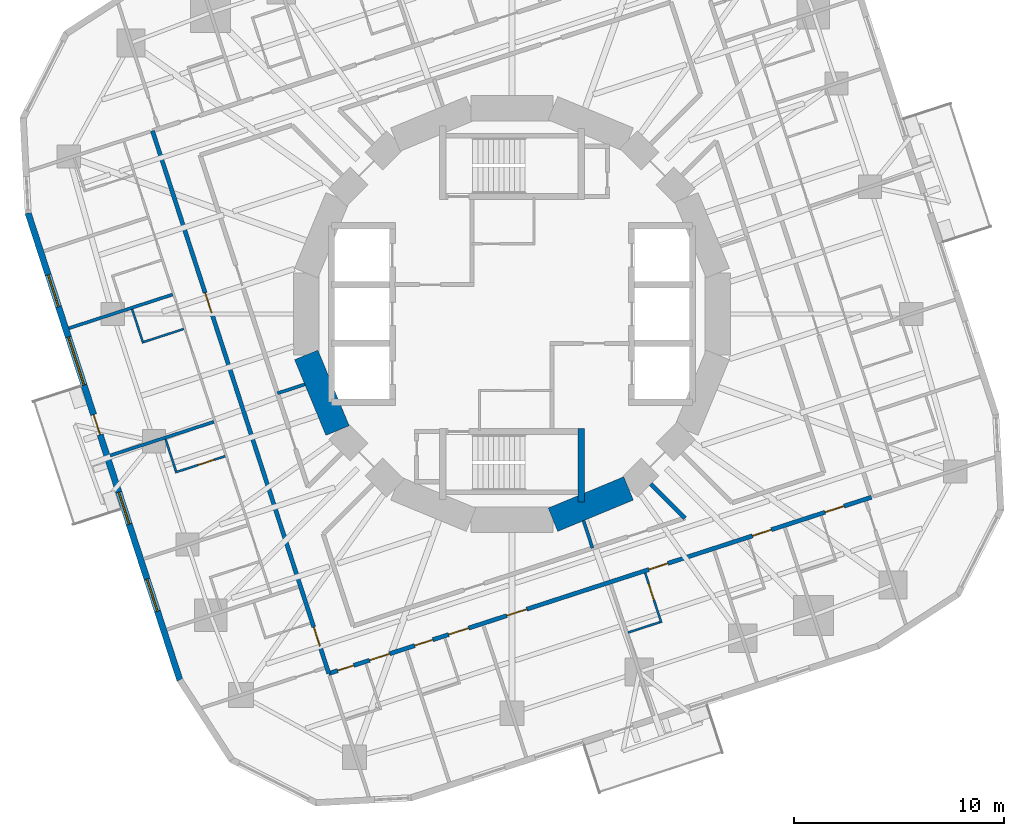
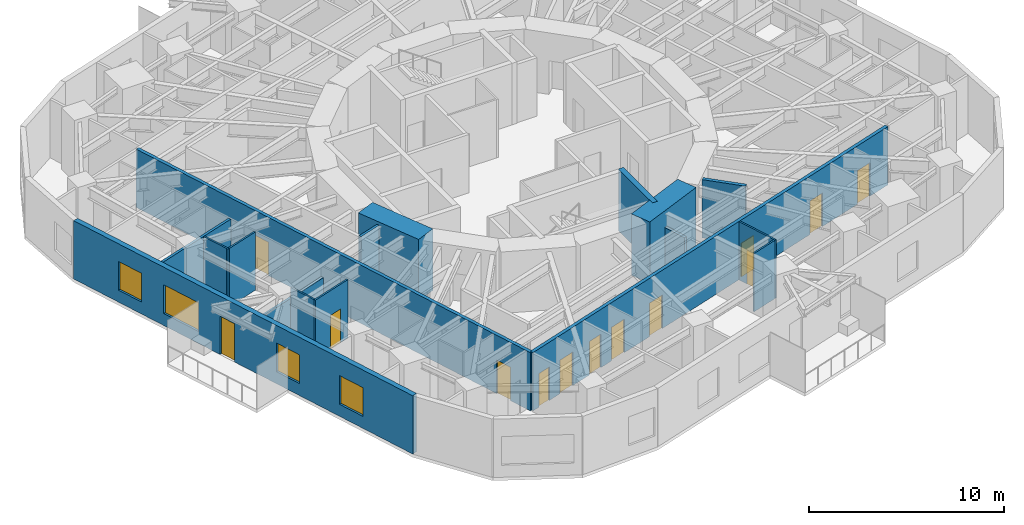
# One storey, part 5 of 12: 17 walls, 13 doors, 4 windows, 17 openings.
"""IFC4 building model written with IfcOpenShell, lengths in metres."""

from ifc_helpers import new_model, si_unit, direction, frame, frame_2d, origin, place, context, subcontext, project, spatial, rectangle, extrude, material, layer, layer_set, type_object, element, fill, save


model = new_model("IFC4")

# Units and contexts
model_context = context("Model", 3, precision=1e-05, world=origin(), true_north=direction((0.0, 1.0)))
body_context = subcontext(model_context, "Body", "Model", "MODEL_VIEW")
ifc_project = project(units=[si_unit("LENGTHUNIT", "METRE"), si_unit("AREAUNIT", "SQUARE_METRE"), si_unit("VOLUMEUNIT", "CUBIC_METRE"), si_unit("PLANEANGLEUNIT", "RADIAN"), si_unit("MASSUNIT", "GRAM", prefix="KILO")], contexts=[model_context])

# Site, building, storey
site_placement = place(None, origin())
site = spatial("IfcSite", under=ifc_project, at=site_placement, CompositionType="ELEMENT")
building_placement = place(site_placement, origin())
building = spatial("IfcBuilding", under=site, at=building_placement, Name="Nakasero Lantern House", CompositionType="ELEMENT")
storey_placement = place(building_placement, frame((0.0, 0.0, 168.75)))
storey = spatial("IfcBuildingStorey", under=building, at=storey_placement, Name="L41", CompositionType="ELEMENT", Elevation=168.75)

# Walls
ifc_material_1 = material(Name="Concrete C50/60", Category="concrete")
ifc_layer_1 = layer(ifc_material_1, 0.300048828125)
ifc_layer_set_1 = layer_set([ifc_layer_1], Name="Core inner wall 300")
wall_type_1 = type_object("IfcWallType", Name="Core inner wall 300", PredefinedType="SHEAR", material=ifc_layer_set_1)
wall_1_placement = place(storey_placement, frame((3.300048828125, -5.449951171875, 0.0), z_axis=(0.0, 0.0, 1.0), x_axis=(0.0, -1.0, 0.0)))
element("IfcWall", 1, at=wall_1_placement, inside=storey, type_object=wall_type_1, Name="Core inner wall L41 SSE", PredefinedType="SHEAR", context=body_context, shape_type="SweptSolid", body=[
    extrude(rectangle(XDim=3.5, YDim=0.300048828125, at=frame_2d((1.75, 0.0))), origin(), (0.0, 0.0, 1.0), 3.85009765625),
])
ifc_material_2 = material(Name="Concrete C50/60", Category="concrete")
ifc_layer_2 = layer(ifc_material_2, 1.199951171875)
ifc_layer_set_2 = layer_set([ifc_layer_2], Name="Core wall 1200")
wall_type_2 = type_object("IfcWallType", Name="Core wall 1200", PredefinedType="SHEAR", material=ifc_layer_set_2)
for number, where, z_axis, x_axis, name in (
    (2, (-9.807861328125, -1.950927734375, 0.0), (0.0, 0.0, 1.0), (0.382690736062, -0.923876507187, 0.0), "Core wall L41 facet 9"),
    (3, (1.950927734375, -9.807861328125, 0.0), (0.0, 0.0, 1.0), (0.923876507187, 0.382690736062, 0.0), "Core wall L41 facet 13"),
):
    element("IfcWall", number, at=place(storey_placement, frame(where, z_axis=z_axis, x_axis=x_axis)), inside=storey, type_object=wall_type_2, Name=name, PredefinedType="SHEAR", context=body_context, shape_type="SweptSolid", body=[
        extrude(rectangle(XDim=3.90185546875, YDim=1.199951171875, at=frame_2d((1.950927734375, 0.0))), origin(), (0.0, 0.0, 1.0), 3.85009765625),
    ])

# Wall, openings, doors
ifc_material_3 = material(Name="Blockwork", Category="masonry")
ifc_layer_3 = layer(ifc_material_3, 0.199951171875)
ifc_layer_set_3 = layer_set([ifc_layer_3], Name="Corridor wall 200")
wall_type_3 = type_object("IfcWallType", Name="Corridor wall 200", PredefinedType="PARTITIONING", material=ifc_layer_set_3)
wall_2_placement = place(storey_placement, frame((-17.136962890625, 8.731689453125, 0.0), z_axis=(0.0, 0.0, 1.0), x_axis=(0.309018283835, -0.951056097323, 0.0)))
wall_2 = element("IfcWall", 4, at=wall_2_placement, inside=storey, type_object=wall_type_3, Name="Corridor wall L41 CW2", PredefinedType="PARTITIONING", context=body_context, shape_type="SweptSolid", body=[
    extrude(rectangle(XDim=27.199951171875, YDim=0.199951171875, at=frame_2d((13.60009765625, 0.0))), origin(), (0.0, 0.0, 1.0), 3.64990234375),
])
opening_1_placement = place(wall_2_placement, frame((8.118896484375, 0.0, 0.0)))
opening_1 = element("IfcOpeningElement", 5, at=opening_1_placement, cuts=wall_2, Name="Opening D14", PredefinedType="OPENING", context=body_context, shape_type="SweptSolid", body=[
    extrude(rectangle(XDim=1.0, YDim=2.10009765625, at=frame_2d((0.5, 1.050048828125))), frame((0.0, 0.119873046875, 0.0), z_axis=(0.0, -1.0, 0.0), x_axis=(1.0, 0.0, 0.0)), (0.0, 0.0, 1.0), 0.239990234375),
])
opening_2_placement = place(wall_2_placement, frame((24.872314453125, 0.0, 0.0)))
opening_2 = element("IfcOpeningElement", 6, at=opening_2_placement, cuts=wall_2, Name="Opening D01", PredefinedType="OPENING", context=body_context, shape_type="SweptSolid", body=[
    extrude(rectangle(XDim=0.949951171875, YDim=2.10009765625, at=frame_2d((0.47509765625, 1.050048828125))), frame((0.0, 0.119873046875, 0.0), z_axis=(0.0, -1.0, 0.0), x_axis=(1.0, 0.0, 0.0)), (0.0, 0.0, 1.0), 0.239990234375),
])
ifc_material_4 = material(Name="Timber C24", Category="wood")
door_type_1 = type_object("IfcDoorType", Name="Bedroom door FD30S 950", OperationType="SINGLE_SWING_LEFT", PredefinedType="DOOR", material=ifc_material_4)
door_1_placement = place(opening_2_placement, origin())
door_1 = element("IfcDoor", 7, at=door_1_placement, inside=storey, type_object=door_type_1, Name="Door L41 D2-06", OperationType="SINGLE_SWING_RIGHT", OverallHeight=2.10009765625, OverallWidth=0.949951171875, PredefinedType="DOOR", context=body_context, shape_type="SweptSolid", body=[
    extrude(rectangle(XDim=0.949951171875, YDim=2.10009765625, at=frame_2d((0.47509765625, 1.050048828125))), frame((0.0, 0.02490234375, 0.0), z_axis=(0.0, -1.0, 0.0), x_axis=(1.0, 0.0, 0.0)), (0.0, 0.0, 1.0), 0.050048828125),
])
fill(opening_2, door_1)
ifc_material_5 = material(Name="Timber C24", Category="wood")
door_type_2 = type_object("IfcDoorType", Name="Cluster entrance door FD30S 1000", OperationType="SINGLE_SWING_LEFT", PredefinedType="DOOR", material=ifc_material_5)
door_2_placement = place(opening_1_placement, origin())
door_2 = element("IfcDoor", 8, at=door_2_placement, inside=storey, type_object=door_type_2, Name="Door L41 DF2-0", OperationType="SINGLE_SWING_LEFT", OverallHeight=2.10009765625, OverallWidth=1.0, PredefinedType="DOOR", context=body_context, shape_type="SweptSolid", body=[
    extrude(rectangle(XDim=1.0, YDim=2.10009765625, at=frame_2d((0.5, 1.050048828125))), frame((0.0, 0.02490234375, 0.0), z_axis=(0.0, -1.0, 0.0), x_axis=(1.0, 0.0, 0.0)), (0.0, 0.0, 1.0), 0.050048828125),
])
fill(opening_1, door_2)

wall_3_placement = place(storey_placement, frame((-8.731689453125, -17.136962890625, 0.0), z_axis=(0.0, 0.0, 1.0), x_axis=(0.951056097323, 0.309018283835, 0.0)))
wall_3 = element("IfcWall", 9, at=wall_3_placement, inside=storey, type_object=wall_type_3, Name="Corridor wall L41 CW3", PredefinedType="PARTITIONING", context=body_context, shape_type="SweptSolid", body=[
    extrude(rectangle(XDim=27.199951171875, YDim=0.199951171875, at=frame_2d((13.60009765625, 0.0))), origin(), (0.0, 0.0, 1.0), 3.64990234375),
])
opening_3_placement = place(wall_3_placement, frame((0.449951171875, 0.0, 0.0)))
opening_3 = element("IfcOpeningElement", 10, at=opening_3_placement, cuts=wall_3, Name="Opening D15", PredefinedType="OPENING", context=body_context, shape_type="SweptSolid", body=[
    extrude(rectangle(XDim=0.800048828125, YDim=2.10009765625, at=frame_2d((0.39990234375, 1.050048828125))), frame((0.0, 0.119873046875, 0.0), z_axis=(0.0, -1.0, 0.0), x_axis=(1.0, 0.0, 0.0)), (0.0, 0.0, 1.0), 0.239990234375),
])
opening_4_placement = place(wall_3_placement, frame((2.050048828125, 0.0, 0.0)))
opening_4 = element("IfcOpeningElement", 11, at=opening_4_placement, cuts=wall_3, Name="Opening D07", PredefinedType="OPENING", context=body_context, shape_type="SweptSolid", body=[
    extrude(rectangle(XDim=1.0, YDim=2.10009765625, at=frame_2d((0.5, 1.050048828125))), frame((0.0, 0.119873046875, 0.0), z_axis=(0.0, -1.0, 0.0), x_axis=(1.0, 0.0, 0.0)), (0.0, 0.0, 1.0), 0.239990234375),
])
opening_5_placement = place(wall_3_placement, frame((4.3095703125, 0.0, 0.0)))
opening_5 = element("IfcOpeningElement", 12, at=opening_5_placement, cuts=wall_3, Name="Opening D16", PredefinedType="OPENING", context=body_context, shape_type="SweptSolid", body=[
    extrude(rectangle(XDim=0.89990234375, YDim=2.10009765625, at=frame_2d((0.449951171875, 1.050048828125))), frame((0.0, 0.119873046875, 0.0), z_axis=(0.0, -1.0, 0.0), x_axis=(1.0, 0.0, 0.0)), (0.0, 0.0, 1.0), 0.239990234375),
])
opening_6_placement = place(wall_3_placement, frame((6.009521484375, 0.0, 0.0)))
opening_6 = element("IfcOpeningElement", 13, at=opening_6_placement, cuts=wall_3, Name="Opening D07", PredefinedType="OPENING", context=body_context, shape_type="SweptSolid", body=[
    extrude(rectangle(XDim=1.0, YDim=2.10009765625, at=frame_2d((0.5, 1.050048828125))), frame((0.0, 0.119873046875, 0.0), z_axis=(0.0, -1.0, 0.0), x_axis=(1.0, 0.0, 0.0)), (0.0, 0.0, 1.0), 0.239990234375),
])
opening_7_placement = place(wall_3_placement, frame((16.047119140625, 0.0, 0.0)))
opening_7 = element("IfcOpeningElement", 14, at=opening_7_placement, cuts=wall_3, Name="Opening D01", PredefinedType="OPENING", context=body_context, shape_type="SweptSolid", body=[
    extrude(rectangle(XDim=0.949951171875, YDim=2.10009765625, at=frame_2d((0.47509765625, 1.050048828125))), frame((0.0, 0.119873046875, 0.0), z_axis=(0.0, -1.0, 0.0), x_axis=(1.0, 0.0, 0.0)), (0.0, 0.0, 1.0), 0.239990234375),
])
opening_8_placement = place(wall_3_placement, frame((21.22802734375, 0.0, 0.0)))
opening_8 = element("IfcOpeningElement", 15, at=opening_8_placement, cuts=wall_3, Name="Opening D01", PredefinedType="OPENING", context=body_context, shape_type="SweptSolid", body=[
    extrude(rectangle(XDim=0.949951171875, YDim=2.10009765625, at=frame_2d((0.47509765625, 1.050048828125))), frame((0.0, 0.119873046875, 0.0), z_axis=(0.0, -1.0, 0.0), x_axis=(1.0, 0.0, 0.0)), (0.0, 0.0, 1.0), 0.239990234375),
])
opening_9_placement = place(wall_3_placement, frame((24.872314453125, 0.0, 0.0)))
opening_9 = element("IfcOpeningElement", 16, at=opening_9_placement, cuts=wall_3, Name="Opening D01", PredefinedType="OPENING", context=body_context, shape_type="SweptSolid", body=[
    extrude(rectangle(XDim=0.949951171875, YDim=2.10009765625, at=frame_2d((0.47509765625, 1.050048828125))), frame((0.0, 0.119873046875, 0.0), z_axis=(0.0, -1.0, 0.0), x_axis=(1.0, 0.0, 0.0)), (0.0, 0.0, 1.0), 0.239990234375),
])
opening_10_placement = place(wall_3_placement, frame((8.9189453125, 0.0, 0.0)))
opening_10 = element("IfcOpeningElement", 17, at=opening_10_placement, cuts=wall_3, Name="Opening D03", PredefinedType="OPENING", context=body_context, shape_type="SweptSolid", body=[
    extrude(rectangle(XDim=1.0, YDim=2.10009765625, at=frame_2d((0.5, 1.050048828125))), frame((0.0, 0.119873046875, 0.0), z_axis=(0.0, -1.0, 0.0), x_axis=(1.0, 0.0, 0.0)), (0.0, 0.0, 1.0), 0.239990234375),
])
ifc_material_6 = material(Name="Timber C24", Category="wood")
door_type_3 = type_object("IfcDoorType", Name="Accessible WC door 900", OperationType="SINGLE_SWING_RIGHT", PredefinedType="DOOR", material=ifc_material_6)
door_3_placement = place(opening_5_placement, origin())
door_3 = element("IfcDoor", 18, at=door_3_placement, inside=storey, type_object=door_type_3, Name="Door L41 DS3-01", OperationType="SINGLE_SWING_LEFT", OverallHeight=2.10009765625, OverallWidth=0.89990234375, PredefinedType="DOOR", context=body_context, shape_type="SweptSolid", body=[
    extrude(rectangle(XDim=0.89990234375, YDim=2.10009765625, at=frame_2d((0.449951171875, 1.050048828125))), frame((0.0, 0.02490234375, 0.0), z_axis=(0.0, -1.0, 0.0), x_axis=(1.0, 0.0, 0.0)), (0.0, 0.0, 1.0), 0.050048828125),
])
fill(opening_5, door_3)
door_4_placement = place(opening_7_placement, origin())
door_4 = element("IfcDoor", 19, at=door_4_placement, inside=storey, type_object=door_type_1, Name="Door L41 D3-04", OperationType="SINGLE_SWING_RIGHT", OverallHeight=2.10009765625, OverallWidth=0.949951171875, PredefinedType="DOOR", context=body_context, shape_type="SweptSolid", body=[
    extrude(rectangle(XDim=0.949951171875, YDim=2.10009765625, at=frame_2d((0.47509765625, 1.050048828125))), frame((0.0, 0.02490234375, 0.0), z_axis=(0.0, -1.0, 0.0), x_axis=(1.0, 0.0, 0.0)), (0.0, 0.0, 1.0), 0.050048828125),
])
fill(opening_7, door_4)
door_5_placement = place(opening_8_placement, origin())
door_5 = element("IfcDoor", 20, at=door_5_placement, inside=storey, type_object=door_type_1, Name="Door L41 D3-05", OperationType="SINGLE_SWING_RIGHT", OverallHeight=2.10009765625, OverallWidth=0.949951171875, PredefinedType="DOOR", context=body_context, shape_type="SweptSolid", body=[
    extrude(rectangle(XDim=0.949951171875, YDim=2.10009765625, at=frame_2d((0.47509765625, 1.050048828125))), frame((0.0, 0.02490234375, 0.0), z_axis=(0.0, -1.0, 0.0), x_axis=(1.0, 0.0, 0.0)), (0.0, 0.0, 1.0), 0.050048828125),
])
fill(opening_8, door_5)
door_6_placement = place(opening_9_placement, origin())
door_6 = element("IfcDoor", 21, at=door_6_placement, inside=storey, type_object=door_type_1, Name="Door L41 D3-06", OperationType="SINGLE_SWING_RIGHT", OverallHeight=2.10009765625, OverallWidth=0.949951171875, PredefinedType="DOOR", context=body_context, shape_type="SweptSolid", body=[
    extrude(rectangle(XDim=0.949951171875, YDim=2.10009765625, at=frame_2d((0.47509765625, 1.050048828125))), frame((0.0, 0.02490234375, 0.0), z_axis=(0.0, -1.0, 0.0), x_axis=(1.0, 0.0, 0.0)), (0.0, 0.0, 1.0), 0.050048828125),
])
fill(opening_9, door_6)
ifc_material_7 = material(Name="Timber C24", Category="wood")
door_type_4 = type_object("IfcDoorType", Name="Cleaner's store door FD30S 800", OperationType="SINGLE_SWING_LEFT", PredefinedType="DOOR", material=ifc_material_7)
door_7_placement = place(opening_3_placement, origin())
door_7 = element("IfcDoor", 22, at=door_7_placement, inside=storey, type_object=door_type_4, Name="Door L41 DS3-00", OperationType="SINGLE_SWING_LEFT", OverallHeight=2.10009765625, OverallWidth=0.800048828125, PredefinedType="DOOR", context=body_context, shape_type="SweptSolid", body=[
    extrude(rectangle(XDim=0.800048828125, YDim=2.10009765625, at=frame_2d((0.39990234375, 1.050048828125))), frame((0.0, 0.02490234375, 0.0), z_axis=(0.0, -1.0, 0.0), x_axis=(1.0, 0.0, 0.0)), (0.0, 0.0, 1.0), 0.050048828125),
])
fill(opening_3, door_7)
ifc_material_8 = material(Name="Timber C24", Category="wood")
door_type_5 = type_object("IfcDoorType", Name="Lounge door FD30S 1000", OperationType="SINGLE_SWING_LEFT", PredefinedType="DOOR", material=ifc_material_8)
door_8_placement = place(opening_10_placement, origin())
door_8 = element("IfcDoor", 23, at=door_8_placement, inside=storey, type_object=door_type_5, Name="Door L41 DK3", OperationType="SINGLE_SWING_LEFT", OverallHeight=2.10009765625, OverallWidth=1.0, PredefinedType="DOOR", context=body_context, shape_type="SweptSolid", body=[
    extrude(rectangle(XDim=1.0, YDim=2.10009765625, at=frame_2d((0.5, 1.050048828125))), frame((0.0, 0.02490234375, 0.0), z_axis=(0.0, -1.0, 0.0), x_axis=(1.0, 0.0, 0.0)), (0.0, 0.0, 1.0), 0.050048828125),
])
fill(opening_10, door_8)
ifc_material_9 = material(Name="Timber C24", Category="wood")
door_type_6 = type_object("IfcDoorType", Name="Room door FD30S 1000", OperationType="SINGLE_SWING_LEFT", PredefinedType="DOOR", material=ifc_material_9)
door_9_placement = place(opening_4_placement, origin())
door_9 = element("IfcDoor", 24, at=door_9_placement, inside=storey, type_object=door_type_6, Name="Door L41 D3-00", OperationType="SINGLE_SWING_LEFT", OverallHeight=2.10009765625, OverallWidth=1.0, PredefinedType="DOOR", context=body_context, shape_type="SweptSolid", body=[
    extrude(rectangle(XDim=1.0, YDim=2.10009765625, at=frame_2d((0.5, 1.050048828125))), frame((0.0, 0.02490234375, 0.0), z_axis=(0.0, -1.0, 0.0), x_axis=(1.0, 0.0, 0.0)), (0.0, 0.0, 1.0), 0.050048828125),
])
fill(opening_4, door_9)
door_10_placement = place(opening_6_placement, origin())
door_10 = element("IfcDoor", 25, at=door_10_placement, inside=storey, type_object=door_type_6, Name="Door L41 D3-01", OperationType="SINGLE_SWING_LEFT", OverallHeight=2.10009765625, OverallWidth=1.0, PredefinedType="DOOR", context=body_context, shape_type="SweptSolid", body=[
    extrude(rectangle(XDim=1.0, YDim=2.10009765625, at=frame_2d((0.5, 1.050048828125))), frame((0.0, 0.02490234375, 0.0), z_axis=(0.0, -1.0, 0.0), x_axis=(1.0, 0.0, 0.0)), (0.0, 0.0, 1.0), 0.050048828125),
])
fill(opening_6, door_10)

# Walls
wall_4_placement = place(storey_placement, frame((6.616943359375, -8.101806640625, 0.0), z_axis=(0.0, 0.0, 1.0), x_axis=(0.707053720985, -0.707159837407, 0.0)))
element("IfcWall", 26, at=wall_4_placement, inside=storey, type_object=wall_type_3, Name="Corridor wall L41 PS14b", PredefinedType="PARTITIONING", context=body_context, shape_type="SweptSolid", body=[
    extrude(rectangle(XDim=2.30078125, YDim=0.199951171875, at=frame_2d((1.150390625, 0.0))), origin(), (0.0, 0.0, 1.0), 3.64990234375),
])
ifc_material_10 = material(Name="Blockwork", Category="masonry")
ifc_layer_4 = layer(ifc_material_10, 0.10009765625)
ifc_layer_set_4 = layer_set([ifc_layer_4], Name="En-suite wall 100")
wall_type_4 = type_object("IfcWallType", Name="En-suite wall 100", PredefinedType="PARTITIONING", material=ifc_layer_set_4)
wall_5_placement = place(storey_placement, frame((-15.645263671875, -0.713623046875, 0.0), z_axis=(0.0, 0.0, 1.0), x_axis=(-0.951062257173, -0.308999325213, 0.0)))
element("IfcWall", 27, at=wall_5_placement, inside=storey, type_object=wall_type_4, Name="En-suite wall L41 SS2-0", PredefinedType="PARTITIONING", context=body_context, shape_type="SweptSolid", body=[
    extrude(rectangle(XDim=2.10009765625, YDim=0.10009765625, at=frame_2d((1.050048828125, 0.0))), origin(), (0.0, 0.0, 1.0), 3.64990234375),
])
wall_6_placement = place(storey_placement, frame((-18.104736328125, 0.22216796875, 0.0), z_axis=(0.0, 0.0, 1.0), x_axis=(0.309066587596, -0.951040401051, 0.0)))
element("IfcWall", 28, at=wall_6_placement, inside=storey, type_object=wall_type_4, Name="En-suite wall L41 SE2-0", PredefinedType="PARTITIONING", context=body_context, shape_type="SweptSolid", body=[
    extrude(rectangle(XDim=1.699951171875, YDim=0.10009765625, at=frame_2d((0.85009765625, 0.0))), origin(), (0.0, 0.0, 1.0), 3.64990234375),
])

# Wall, opening, door
wall_7_placement = place(storey_placement, frame((-13.67431640625, -6.779541015625, 0.0), z_axis=(0.0, 0.0, 1.0), x_axis=(-0.951067792613, -0.308982287281, 0.0)))
wall_7 = element("IfcWall", 29, at=wall_7_placement, inside=storey, type_object=wall_type_4, Name="En-suite wall L41 ES2-04", PredefinedType="PARTITIONING", context=body_context, shape_type="SweptSolid", body=[
    extrude(rectangle(XDim=2.5, YDim=0.10009765625, at=frame_2d((1.25, 0.0))), origin(), (0.0, 0.0, 1.0), 3.64990234375),
])
opening_11_placement = place(wall_7_placement, frame((0.550048828125, 0.0, 0.0)))
opening_11 = element("IfcOpeningElement", 30, at=opening_11_placement, cuts=wall_7, Name="Opening D02", PredefinedType="OPENING", context=body_context, shape_type="SweptSolid", body=[
    extrude(rectangle(XDim=0.800048828125, YDim=2.10009765625, at=frame_2d((0.39990234375, 1.050048828125))), frame((0.0, 0.070068359375, 0.0), z_axis=(0.0, -1.0, 0.0), x_axis=(1.0, 0.0, 0.0)), (0.0, 0.0, 1.0), 0.14013671875),
])
ifc_material_11 = material(Name="Timber C24", Category="wood")
door_type_7 = type_object("IfcDoorType", Name="En-suite door 800", OperationType="SINGLE_SWING_RIGHT", PredefinedType="DOOR", material=ifc_material_11)
door_11_placement = place(opening_11_placement, origin())
door_11 = element("IfcDoor", 31, at=door_11_placement, inside=storey, type_object=door_type_7, Name="Door L41 DE2-04", OperationType="SINGLE_SWING_LEFT", OverallHeight=2.10009765625, OverallWidth=0.800048828125, PredefinedType="DOOR", context=body_context, shape_type="SweptSolid", body=[
    extrude(rectangle(XDim=0.800048828125, YDim=2.10009765625, at=frame_2d((0.39990234375, 1.050048828125))), frame((0.0, 0.02490234375, 0.0), z_axis=(0.0, -1.0, 0.0), x_axis=(1.0, 0.0, 0.0)), (0.0, 0.0, 1.0), 0.050048828125),
])
fill(opening_11, door_11)

# Wall
wall_8_placement = place(storey_placement, frame((-16.51416015625, -5.96728515625, 0.0), z_axis=(0.0, 0.0, 1.0), x_axis=(0.308986014439, -0.951066581729, 0.0)))
element("IfcWall", 32, at=wall_8_placement, inside=storey, type_object=wall_type_4, Name="En-suite wall L41 EE2-04", PredefinedType="PARTITIONING", context=body_context, shape_type="SweptSolid", body=[
    extrude(rectangle(XDim=1.60009765625, YDim=0.10009765625, at=frame_2d((0.800048828125, 0.0))), origin(), (0.0, 0.0, 1.0), 3.64990234375),
])

# Wall, opening, door
wall_9_placement = place(storey_placement, frame((6.346923828125, -12.3427734375, 0.0), z_axis=(0.0, 0.0, 1.0), x_axis=(0.308982287281, -0.951067792613, 0.0)))
wall_9 = element("IfcWall", 33, at=wall_9_placement, inside=storey, type_object=wall_type_4, Name="En-suite wall L41 ES3-04", PredefinedType="PARTITIONING", context=body_context, shape_type="SweptSolid", body=[
    extrude(rectangle(XDim=2.5, YDim=0.10009765625, at=frame_2d((1.25, 0.0))), origin(), (0.0, 0.0, 1.0), 3.64990234375),
])
opening_12_placement = place(wall_9_placement, frame((0.550048828125, 0.0, 0.0)))
opening_12 = element("IfcOpeningElement", 34, at=opening_12_placement, cuts=wall_9, Name="Opening D02", PredefinedType="OPENING", context=body_context, shape_type="SweptSolid", body=[
    extrude(rectangle(XDim=0.800048828125, YDim=2.10009765625, at=frame_2d((0.39990234375, 1.050048828125))), frame((0.0, 0.070068359375, 0.0), z_axis=(0.0, -1.0, 0.0), x_axis=(1.0, 0.0, 0.0)), (0.0, 0.0, 1.0), 0.14013671875),
])
door_12_placement = place(opening_12_placement, origin())
door_12 = element("IfcDoor", 35, at=door_12_placement, inside=storey, type_object=door_type_7, Name="Door L41 DE3-04", OperationType="SINGLE_SWING_LEFT", OverallHeight=2.10009765625, OverallWidth=0.800048828125, PredefinedType="DOOR", context=body_context, shape_type="SweptSolid", body=[
    extrude(rectangle(XDim=0.800048828125, YDim=2.10009765625, at=frame_2d((0.39990234375, 1.050048828125))), frame((0.0, 0.02490234375, 0.0), z_axis=(0.0, -1.0, 0.0), x_axis=(1.0, 0.0, 0.0)), (0.0, 0.0, 1.0), 0.050048828125),
])
fill(opening_12, door_12)

# Wall
wall_10_placement = place(storey_placement, frame((5.53466796875, -15.182861328125, 0.0), z_axis=(0.0, 0.0, 1.0), x_axis=(0.951021734043, 0.309124022649, 0.0)))
element("IfcWall", 36, at=wall_10_placement, inside=storey, type_object=wall_type_4, Name="En-suite wall L41 EE3-04", PredefinedType="PARTITIONING", context=body_context, shape_type="SweptSolid", body=[
    extrude(rectangle(XDim=1.60009765625, YDim=0.10009765625, at=frame_2d((0.800048828125, 0.0))), origin(), (0.0, 0.0, 1.0), 3.64990234375),
])

# Wall, openings, door, windows
ifc_material_12 = material(Name="Aluminium rainscreen on blockwork", Category="masonry")
ifc_layer_5 = layer(ifc_material_12, 0.300048828125)
ifc_layer_set_5 = layer_set([ifc_layer_5], Name="Facade wall 300")
wall_type_5 = type_object("IfcWallType", Name="Facade wall 300", PredefinedType="SOLIDWALL", material=ifc_layer_set_5)
wall_11_placement = place(storey_placement, frame((-23.064697265625, 4.807861328125, 0.0), z_axis=(0.0, 0.0, 1.0), x_axis=(0.30902591324, -0.951053618334, 0.0)))
wall_11 = element("IfcWall", 37, at=wall_11_placement, inside=storey, type_object=wall_type_5, Name="Facade wall L41 FW2S", PredefinedType="SOLIDWALL", context=body_context, shape_type="SweptSolid", body=[
    extrude(rectangle(XDim=23.39990234375, YDim=0.300048828125, at=frame_2d((11.699951171875, 0.0))), origin(), (0.0, 0.0, 1.0), 3.64990234375),
])
opening_13_placement = place(wall_11_placement, frame((3.089111328125, 0.0, 0.75)))
opening_13 = element("IfcOpeningElement", 38, at=opening_13_placement, cuts=wall_11, Name="Opening W01", PredefinedType="OPENING", context=body_context, shape_type="SweptSolid", body=[
    extrude(rectangle(XDim=1.60009765625, YDim=1.800048828125, at=frame_2d((0.800048828125, 0.89990234375))), frame((0.0, 0.169921875, 0.0), z_axis=(0.0, -1.0, 0.0), x_axis=(1.0, 0.0, 0.0)), (0.0, 0.0, 1.0), 0.340087890625),
])
opening_14_placement = place(wall_11_placement, frame((13.987548828125, 0.0, 0.75)))
opening_14 = element("IfcOpeningElement", 39, at=opening_14_placement, cuts=wall_11, Name="Opening W01", PredefinedType="OPENING", context=body_context, shape_type="SweptSolid", body=[
    extrude(rectangle(XDim=1.60009765625, YDim=1.800048828125, at=frame_2d((0.800048828125, 0.89990234375))), frame((0.0, 0.169921875, 0.0), z_axis=(0.0, -1.0, 0.0), x_axis=(1.0, 0.0, 0.0)), (0.0, 0.0, 1.0), 0.340087890625),
])
opening_15_placement = place(wall_11_placement, frame((18.350341796875, 0.0, 0.75)))
opening_15 = element("IfcOpeningElement", 40, at=opening_15_placement, cuts=wall_11, Name="Opening W01", PredefinedType="OPENING", context=body_context, shape_type="SweptSolid", body=[
    extrude(rectangle(XDim=1.60009765625, YDim=1.800048828125, at=frame_2d((0.800048828125, 0.89990234375))), frame((0.0, 0.169921875, 0.0), z_axis=(0.0, -1.0, 0.0), x_axis=(1.0, 0.0, 0.0)), (0.0, 0.0, 1.0), 0.340087890625),
])
opening_16_placement = place(wall_11_placement, frame((6.21337890625, 0.0, 0.75)))
opening_16 = element("IfcOpeningElement", 41, at=opening_16_placement, cuts=wall_11, Name="Opening W03", PredefinedType="OPENING", context=body_context, shape_type="SweptSolid", body=[
    extrude(rectangle(XDim=2.39990234375, YDim=1.800048828125, at=frame_2d((1.199951171875, 0.89990234375))), frame((0.0, 0.169921875, 0.0), z_axis=(0.0, -1.0, 0.0), x_axis=(1.0, 0.0, 0.0)), (0.0, 0.0, 1.0), 0.340087890625),
])
opening_17_placement = place(wall_11_placement, frame((10.1025390625, 0.0, 0.0)))
opening_17 = element("IfcOpeningElement", 42, at=opening_17_placement, cuts=wall_11, Name="Opening D04", PredefinedType="OPENING", context=body_context, shape_type="SweptSolid", body=[
    extrude(rectangle(XDim=1.0, YDim=2.39990234375, at=frame_2d((0.5, 1.199951171875))), frame((0.0, 0.169921875, 0.0), z_axis=(0.0, -1.0, 0.0), x_axis=(1.0, 0.0, 0.0)), (0.0, 0.0, 1.0), 0.340087890625),
])
ifc_material_13 = material(Name="Aluminium 6063-T6 and glass", Category="aluminium")
door_type_8 = type_object("IfcDoorType", Name="Balcony door 1000x2400", OperationType="SINGLE_SWING_RIGHT", PredefinedType="DOOR", material=ifc_material_13)
door_13_placement = place(opening_17_placement, origin())
door_13 = element("IfcDoor", 43, at=door_13_placement, inside=storey, type_object=door_type_8, Name="Balcony door L41 DB2", OperationType="SINGLE_SWING_RIGHT", OverallHeight=2.39990234375, OverallWidth=1.0, PredefinedType="DOOR", context=body_context, shape_type="SweptSolid", body=[
    extrude(rectangle(XDim=1.0, YDim=2.39990234375, at=frame_2d((0.5, 1.199951171875))), frame((0.0, 0.02490234375, 0.0), z_axis=(0.0, -1.0, 0.0), x_axis=(1.0, 0.0, 0.0)), (0.0, 0.0, 1.0), 0.050048828125),
])
fill(opening_17, door_13)
ifc_material_14 = material(Name="Aluminium 6063-T6 and glass", Category="aluminium")
window_type_1 = type_object("IfcWindowType", Name="Bedroom window 1600x1800", PartitioningType="SINGLE_PANEL", PredefinedType="WINDOW", material=ifc_material_14)
window_1_placement = place(opening_13_placement, origin())
window_1 = element("IfcWindow", 44, at=window_1_placement, inside=storey, type_object=window_type_1, Name="Window L41 WN2-01", OverallHeight=1.800048828125, OverallWidth=1.60009765625, PartitioningType="SINGLE_PANEL", PredefinedType="WINDOW", context=body_context, shape_type="SweptSolid", body=[
    extrude(rectangle(XDim=1.60009765625, YDim=1.800048828125, at=frame_2d((0.800048828125, 0.89990234375))), frame((0.0, 0.030029296875, 0.0), z_axis=(0.0, -1.0, 0.0), x_axis=(1.0, 0.0, 0.0)), (0.0, 0.0, 1.0), 0.06005859375),
])
fill(opening_13, window_1)
window_2_placement = place(opening_14_placement, origin())
window_2 = element("IfcWindow", 45, at=window_2_placement, inside=storey, type_object=window_type_1, Name="Window L41 WN2-04", OverallHeight=1.800048828125, OverallWidth=1.60009765625, PartitioningType="SINGLE_PANEL", PredefinedType="WINDOW", context=body_context, shape_type="SweptSolid", body=[
    extrude(rectangle(XDim=1.60009765625, YDim=1.800048828125, at=frame_2d((0.800048828125, 0.89990234375))), frame((0.0, 0.030029296875, 0.0), z_axis=(0.0, -1.0, 0.0), x_axis=(1.0, 0.0, 0.0)), (0.0, 0.0, 1.0), 0.06005859375),
])
fill(opening_14, window_2)
window_3_placement = place(opening_15_placement, origin())
window_3 = element("IfcWindow", 46, at=window_3_placement, inside=storey, type_object=window_type_1, Name="Window L41 WN2-05", OverallHeight=1.800048828125, OverallWidth=1.60009765625, PartitioningType="SINGLE_PANEL", PredefinedType="WINDOW", context=body_context, shape_type="SweptSolid", body=[
    extrude(rectangle(XDim=1.60009765625, YDim=1.800048828125, at=frame_2d((0.800048828125, 0.89990234375))), frame((0.0, 0.030029296875, 0.0), z_axis=(0.0, -1.0, 0.0), x_axis=(1.0, 0.0, 0.0)), (0.0, 0.0, 1.0), 0.06005859375),
])
fill(opening_15, window_3)
ifc_material_15 = material(Name="Aluminium 6063-T6 and glass", Category="aluminium")
window_type_2 = type_object("IfcWindowType", Name="Lounge window 2400x1800", PartitioningType="SINGLE_PANEL", PredefinedType="WINDOW", material=ifc_material_15)
window_4_placement = place(opening_16_placement, origin())
window_4 = element("IfcWindow", 47, at=window_4_placement, inside=storey, type_object=window_type_2, Name="Window L41 WK2", OverallHeight=1.800048828125, OverallWidth=2.39990234375, PartitioningType="SINGLE_PANEL", PredefinedType="WINDOW", context=body_context, shape_type="SweptSolid", body=[
    extrude(rectangle(XDim=2.39990234375, YDim=1.800048828125, at=frame_2d((1.199951171875, 0.89990234375))), frame((0.0, 0.030029296875, 0.0), z_axis=(0.0, -1.0, 0.0), x_axis=(1.0, 0.0, 0.0)), (0.0, 0.0, 1.0), 0.06005859375),
])
fill(opening_16, window_4)

# Walls
ifc_material_16 = material(Name="Blockwork", Category="masonry")
ifc_layer_6 = layer(ifc_material_16, 0.14990234375)
ifc_layer_set_6 = layer_set([ifc_layer_6], Name="Party wall 150")
wall_type_6 = type_object("IfcWallType", Name="Party wall 150", PredefinedType="PARTITIONING", material=ifc_layer_set_6)
wall_12_placement = place(storey_placement, frame((-16.17822265625, 0.927001953125, 0.0), z_axis=(0.0, 0.0, 1.0), x_axis=(-0.951055112834, -0.309021313752, 0.0)))
element("IfcWall", 48, at=wall_12_placement, inside=storey, type_object=wall_type_6, Name="Party wall L41 PW2-02", PredefinedType="PARTITIONING", context=body_context, shape_type="SweptSolid", body=[
    extrude(rectangle(XDim=5.2001953125, YDim=0.14990234375, at=frame_2d((2.60009765625, 0.0))), origin(), (0.0, 0.0, 1.0), 3.64990234375),
])
wall_13_placement = place(storey_placement, frame((-14.207275390625, -5.138916015625, 0.0), z_axis=(0.0, 0.0, 1.0), x_axis=(-0.951055112834, -0.309021313752, 0.0)))
element("IfcWall", 49, at=wall_13_placement, inside=storey, type_object=wall_type_6, Name="Party wall L41 PW2-04", PredefinedType="PARTITIONING", context=body_context, shape_type="SweptSolid", body=[
    extrude(rectangle(XDim=5.2001953125, YDim=0.14990234375, at=frame_2d((2.60009765625, 0.0))), origin(), (0.0, 0.0, 1.0), 2.966552734375),
])
wall_14_placement = place(storey_placement, frame((-11.17919921875, -3.779541015625, 0.0), z_axis=(0.0, 0.0, 1.0), x_axis=(0.951077243429, 0.308953195535, 0.0)))
element("IfcWall", 50, at=wall_14_placement, inside=storey, type_object=wall_type_6, Name="Party wall L41 IM2", PredefinedType="PARTITIONING", context=body_context, shape_type="SweptSolid", body=[
    extrude(rectangle(XDim=1.37109375, YDim=0.14990234375, at=frame_2d((0.685546875, 0.0))), origin(), (0.0, 0.0, 1.0), 3.64990234375),
])
wall_15_placement = place(storey_placement, frame((3.836669921875, -11.16064453125, 0.0), z_axis=(0.0, 0.0, 1.0), x_axis=(-0.309138236978, 0.951017113641, 0.0)))
element("IfcWall", 51, at=wall_15_placement, inside=storey, type_object=wall_type_6, Name="Party wall L41 IM3", PredefinedType="PARTITIONING", context=body_context, shape_type="SweptSolid", body=[
    extrude(rectangle(XDim=1.375732421875, YDim=0.14990234375, at=frame_2d((0.68798828125, 0.0))), origin(), (0.0, 0.0, 1.0), 2.809326171875),
])

save(model, "model.ifc")
